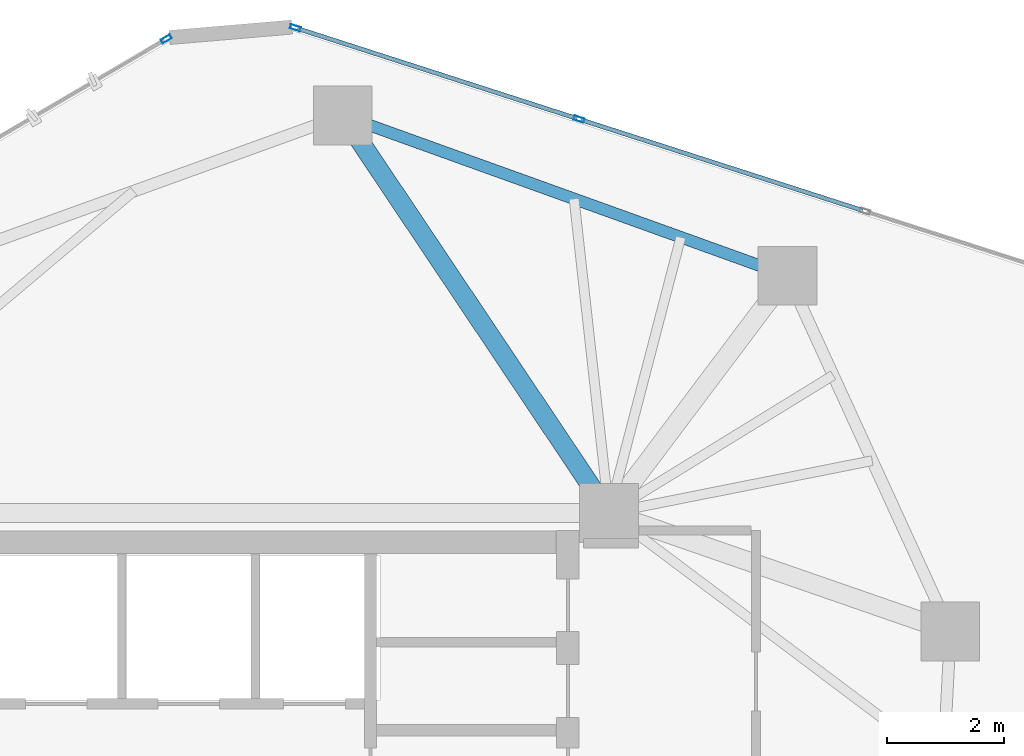
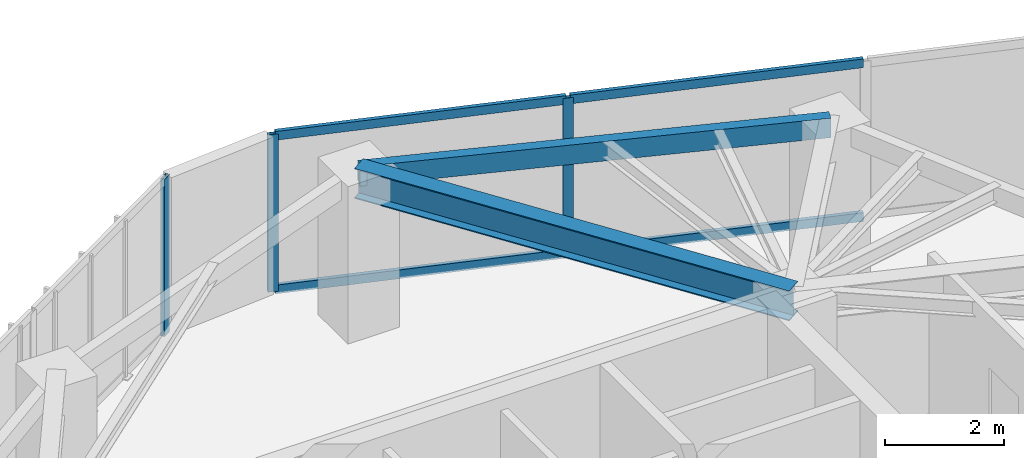
# One storey, part 13 of 19: 7 members, 2 beams, 2 elements without a shape of their own.
"""IFC4 building model written with IfcOpenShell, lengths in metres."""

from ifc_helpers import new_model, si_unit, direction, frame, origin, origin_2d, place, context, subcontext, project, spatial, hollow_rectangle, i_section, extrude, source, transform, mapped, material, layer, layer_set, material_profile, profile_set, type_object, type_shapes, element, aggregate, save


model = new_model("IFC4")

# Units and contexts
model_context = context("Model", 3, precision=1e-05, world=origin(), true_north=direction((0.0, 1.0)))
body_context = subcontext(model_context, "Body", "Model", "MODEL_VIEW")
ifc_project = project(units=[si_unit("LENGTHUNIT", "METRE"), si_unit("AREAUNIT", "SQUARE_METRE"), si_unit("VOLUMEUNIT", "CUBIC_METRE"), si_unit("PLANEANGLEUNIT", "RADIAN"), si_unit("MASSUNIT", "GRAM", prefix="KILO")], contexts=[model_context])

# Site, building, storey
site_placement = place(None, origin())
site = spatial("IfcSite", under=ifc_project, at=site_placement, CompositionType="ELEMENT")
building_placement = place(site_placement, origin())
building = spatial("IfcBuilding", under=site, at=building_placement, Name="Talar Marvaseh", CompositionType="ELEMENT")
storey_placement = place(building_placement, frame((0.0, 0.0, 181.0)))
storey = spatial("IfcBuildingStorey", under=building, at=storey_placement, Name="L47", CompositionType="ELEMENT", Elevation=181.0)

# Beams
ifc_material_1 = material(Name="Steel S355", Category="steel")
ifc_material_profile_1 = material_profile(ifc_material_1, hollow_rectangle(XDim=0.199951171875, YDim=0.39990234375, WallThickness=0.013916015625, at=origin_2d()), Name="RHS400x200x14")
ifc_profile_set_1 = profile_set([ifc_material_profile_1], Name="Steel S355")
beam_type_1 = type_object("IfcBeamType", Name="Zone 3 Perimeter Spandrel Beam RHS400x200x14", PredefinedType="SPANDREL", material=ifc_profile_set_1)
beam_1_placement = place(storey_placement, frame((28.76611328125, 43.66796875, 3.030029296875), z_axis=(0.940923359576, -0.3386195969, 0.0), x_axis=(0.3386195969, 0.940923359576, 0.0)))
element("IfcBeam", 1, at=beam_1_placement, inside=storey, type_object=beam_type_1, Name="L47 Zone 3 Perimeter Spandrel Beam RHS400x200x14", PredefinedType="SPANDREL", context=body_context, shape_type="SweptSolid", body=[
    extrude(hollow_rectangle(XDim=0.199951171875, YDim=0.39990234375, WallThickness=0.013916015625, at=origin_2d()), origin(), (0.0, 0.0, 1.0), 8.050537109375),
])
ifc_material_profile_2 = material_profile(ifc_material_1, i_section(OverallWidth=0.324951171875, OverallDepth=0.615966796875, WebThickness=0.013916015625, FlangeThickness=0.021484375, at=origin_2d()), Name="W610x174")
ifc_profile_set_2 = profile_set([ifc_material_profile_2], Name="Steel S355")
beam_type_2 = type_object("IfcBeamType", Name="Zone 3 Radial Floor Girder W610x174", PredefinedType="BEAM", material=ifc_profile_set_2)
beam_2_placement = place(storey_placement, frame((28.76611328125, 43.66796875, 2.922119140625), z_axis=(0.556559209375, -0.830807948, 0.0), x_axis=(0.830807948, 0.556559209375, 0.0)))
element("IfcBeam", 2, at=beam_2_placement, inside=storey, type_object=beam_type_2, Name="L47 Zone 3 Radial Floor Girder W610x174", PredefinedType="BEAM", context=body_context, shape_type="SweptSolid", body=[
    extrude(i_section(OverallWidth=0.324951171875, OverallDepth=0.615966796875, WebThickness=0.013916015625, FlangeThickness=0.021484375, at=origin_2d()), origin(), (0.0, 0.0, 1.0), 8.146484375),
])

# Curtain wall, member
ifc_material_2 = material(Name="Architectural Aluminium", Category="aluminium")
ifc_layer = layer(ifc_material_2, 0.18994140625)
ifc_layer_set = layer_set([ifc_layer], Name="Architectural Aluminium")
curtain_wall_type = type_object("IfcCurtainWallType", Name="Unitised Solar Atelier Curtain Wall Z3", PredefinedType="NOTDEFINED", material=ifc_layer_set)
curtain_wall_1_placement = place(storey_placement, origin())
curtain_wall_1 = element("IfcCurtainWall", 3, at=curtain_wall_1_placement, inside=storey, type_object=curtain_wall_type, Name="L47 Unitised Solar Atelier Curtain Wall Z3", PredefinedType="NOTDEFINED")
ifc_material_profile_3 = material_profile(ifc_material_2, hollow_rectangle(XDim=0.074951171875, YDim=0.179931640625, WallThickness=0.0048828125, at=origin_2d()), Name="RHS180x75x5")
ifc_profile_set_3 = profile_set([ifc_material_profile_3], Name="Architectural Aluminium")
member_type_1 = type_object("IfcMemberType", Name="Unitised Curtain Wall Standard Mullion RHS180x75x5", PredefinedType="MULLION", material=ifc_profile_set_3)
shared_shape_1 = source(origin(), body_context, "Body", "SweptSolid", [
    extrude(hollow_rectangle(XDim=0.074951171875, YDim=0.179931640625, WallThickness=0.0048828125, at=origin_2d()), origin(), (0.0, 0.0, 1.0), 3.22998046875),
])
type_shapes(member_type_1, [shared_shape_1])
member_1_placement = place(storey_placement, frame((25.760498046875, 44.97119140625, 0.0), z_axis=(0.0, 0.0, 1.0), x_axis=(-0.506514332148, 0.862231541599, 0.0)))
member_1 = element("IfcMember", 4, at=member_1_placement, type_object=member_type_1, Name="CW-Z3 mullion 4", PredefinedType="MULLION", context=body_context, shape_type="MappedRepresentation", body=[
    mapped(shared_shape_1, transform((0.0, 0.0, 0.0), x_axis=(1.0, 0.0, 0.0), y_axis=(0.0, 1.0, 0.0), z_axis=(0.0, 0.0, 1.0), scale=1.0)),
])
aggregate(curtain_wall_1, [member_1])

# Curtain wall, members
curtain_wall_2_placement = place(storey_placement, origin())
curtain_wall_2 = element("IfcCurtainWall", 5, at=curtain_wall_2_placement, inside=storey, type_object=curtain_wall_type, Name="L47 Unitised Solar Atelier Curtain Wall Z3", PredefinedType="NOTDEFINED")
member_2_placement = place(storey_placement, frame((27.95849609375, 45.16162109375, 0.0), z_axis=(0.0, 0.0, 1.0), x_axis=(0.306465390191, 0.951881801809, 0.0)))
member_2 = element("IfcMember", 6, at=member_2_placement, type_object=member_type_1, Name="CW-Z3 mullion 1", PredefinedType="MULLION", context=body_context, shape_type="MappedRepresentation", body=[
    mapped(shared_shape_1, transform((0.0, 0.0, 0.0), x_axis=(1.0, 0.0, 0.0), y_axis=(0.0, 1.0, 0.0), z_axis=(0.0, 0.0, 1.0), scale=1.0)),
])
member_3_placement = place(storey_placement, frame((32.789794921875, 43.60595703125, 0.0), z_axis=(0.0, 0.0, 1.0), x_axis=(0.306465390191, 0.951881801809, 0.0)))
member_3 = element("IfcMember", 7, at=member_3_placement, type_object=member_type_1, Name="CW-Z3 mullion 2", PredefinedType="MULLION", context=body_context, shape_type="MappedRepresentation", body=[
    mapped(shared_shape_1, transform((0.0, 0.0, 0.0), x_axis=(1.0, 0.0, 0.0), y_axis=(0.0, 1.0, 0.0), z_axis=(0.0, 0.0, 1.0), scale=1.0)),
])
ifc_material_profile_4 = material_profile(ifc_material_2, hollow_rectangle(XDim=0.074951171875, YDim=0.179931640625, WallThickness=0.0048828125, at=origin_2d()), Name="RHS180x75x5")
ifc_profile_set_4 = profile_set([ifc_material_profile_4], Name="Architectural Aluminium")
member_type_2 = type_object("IfcMemberType", Name="Unitised Curtain Wall Transom RHS180x75x5", PredefinedType="USERDEFINED", material=ifc_profile_set_4)
shared_shape_2 = source(origin(), body_context, "Body", "SweptSolid", [
    extrude(hollow_rectangle(XDim=0.074951171875, YDim=0.179931640625, WallThickness=0.0048828125, at=origin_2d()), origin(), (0.0, 0.0, 1.0), 5.0380859375),
])
member_4_placement = place(storey_placement, frame((32.825439453125, 43.594482421875, 0.03759765625), z_axis=(0.951884759281, -0.306456204128, 0.0), x_axis=(0.306456204128, 0.951884759281, 0.0)))
member_4 = element("IfcMember", 8, at=member_4_placement, type_object=member_type_2, Name="CW-Z3 transom 2.1", ObjectType="TRANSOM", PredefinedType="USERDEFINED", context=body_context, shape_type="MappedRepresentation", body=[
    mapped(shared_shape_2, transform((0.0, 0.0, 0.0), x_axis=(1.0, 0.0, 0.0), y_axis=(0.0, 1.0, 0.0), z_axis=(0.0, 0.0, 1.0), scale=1.0)),
])
member_5_placement = place(storey_placement, frame((32.825439453125, 43.594482421875, 3.1923828125), z_axis=(0.951884759281, -0.306456204128, 0.0), x_axis=(0.306456204128, 0.951884759281, 0.0)))
member_5 = element("IfcMember", 9, at=member_5_placement, type_object=member_type_2, Name="CW-Z3 transom 2.2", ObjectType="TRANSOM", PredefinedType="USERDEFINED", context=body_context, shape_type="MappedRepresentation", body=[
    mapped(shared_shape_2, transform((0.0, 0.0, 0.0), x_axis=(1.0, 0.0, 0.0), y_axis=(0.0, 1.0, 0.0), z_axis=(0.0, 0.0, 1.0), scale=1.0)),
])
shared_shape_3 = source(origin(), body_context, "Body", "SweptSolid", [
    extrude(hollow_rectangle(XDim=0.074951171875, YDim=0.179931640625, WallThickness=0.0048828125, at=origin_2d()), origin(), (0.0, 0.0, 1.0), 5.00048828125),
])
type_shapes(member_type_2, [shared_shape_2, shared_shape_3])
member_6_placement = place(storey_placement, frame((27.994140625, 45.14990234375, 0.03759765625), z_axis=(0.951880113629, -0.30647063363, 0.0), x_axis=(0.30647063363, 0.951880113629, 0.0)))
member_6 = element("IfcMember", 10, at=member_6_placement, type_object=member_type_2, Name="CW-Z3 transom 1.1", ObjectType="TRANSOM", PredefinedType="USERDEFINED", context=body_context, shape_type="MappedRepresentation", body=[
    mapped(shared_shape_3, transform((0.0, 0.0, 0.0), x_axis=(1.0, 0.0, 0.0), y_axis=(0.0, 1.0, 0.0), z_axis=(0.0, 0.0, 1.0), scale=1.0)),
])
member_7_placement = place(storey_placement, frame((27.994140625, 45.14990234375, 3.1923828125), z_axis=(0.951880113629, -0.30647063363, 0.0), x_axis=(0.30647063363, 0.951880113629, 0.0)))
member_7 = element("IfcMember", 11, at=member_7_placement, type_object=member_type_2, Name="CW-Z3 transom 1.2", ObjectType="TRANSOM", PredefinedType="USERDEFINED", context=body_context, shape_type="MappedRepresentation", body=[
    mapped(shared_shape_3, transform((0.0, 0.0, 0.0), x_axis=(1.0, 0.0, 0.0), y_axis=(0.0, 1.0, 0.0), z_axis=(0.0, 0.0, 1.0), scale=1.0)),
])
aggregate(curtain_wall_2, [member_2, member_3, member_6, member_7, member_4, member_5])

save(model, "model.ifc")
